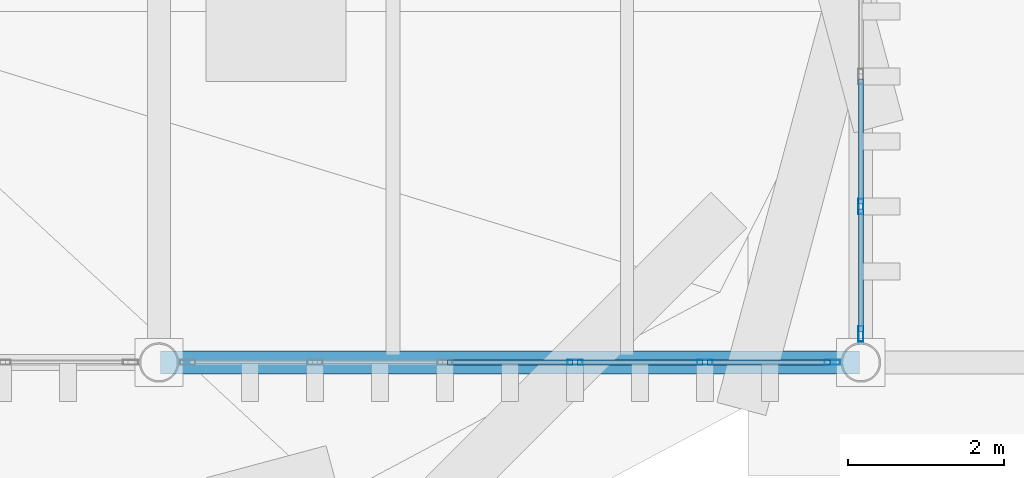
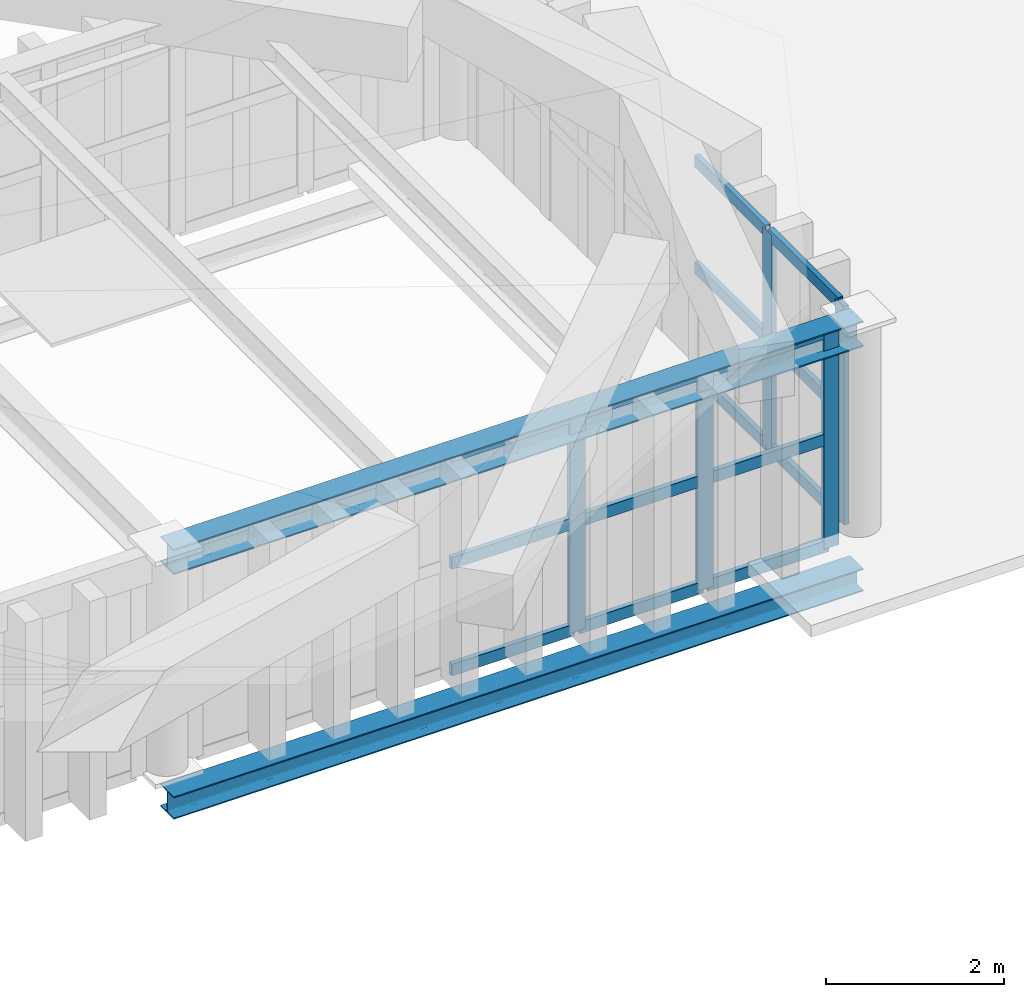
# One storey, part 19 of 102: 20 members, 2 beams, 2 elements without a shape of their own.
"""IFC4 building model written with IfcOpenShell, lengths in metres."""

from ifc_helpers import new_model, si_unit, direction, frame, origin, origin_2d, place, context, subcontext, project, spatial, hollow_rectangle, i_section, extrude, material, layer, layer_set, material_profile, profile_set, type_object, element, aggregate, save


model = new_model("IFC4")

# Units and contexts
model_context = context("Model", 3, precision=1e-05, world=origin(), true_north=direction((0.0, 1.0)))
body_context = subcontext(model_context, "Body", "Model", "MODEL_VIEW")
ifc_project = project(units=[si_unit("LENGTHUNIT", "METRE"), si_unit("AREAUNIT", "SQUARE_METRE"), si_unit("VOLUMEUNIT", "CUBIC_METRE"), si_unit("PLANEANGLEUNIT", "RADIAN"), si_unit("MASSUNIT", "GRAM", prefix="KILO")], contexts=[model_context])

# Site, building, storey
site_placement = place(None, origin())
site = spatial("IfcSite", under=ifc_project, at=site_placement, CompositionType="ELEMENT")
building_placement = place(site_placement, origin())
building = spatial("IfcBuilding", under=site, at=building_placement, Name="Barlavento Convention Centre", CompositionType="ELEMENT")
storey_placement = place(building_placement, frame((0.0, 0.0, 22.800048828125)))
storey = spatial("IfcBuildingStorey", under=building, at=storey_placement, Name="L04", CompositionType="ELEMENT", Elevation=22.800048828125)

# Curtain wall, members
ifc_material_1 = material(Name="Powder-coated aluminium and Low-E glass", Category="aluminium")
ifc_layer = layer(ifc_material_1, 0.18505859375)
ifc_layer_set = layer_set([ifc_layer], Name="ARC-CW-CONF-L04")
curtain_wall_type = type_object("IfcCurtainWallType", Name="ARC-CW-CONF-L04", PredefinedType="NOTDEFINED", material=ifc_layer_set)
curtain_wall_1_placement = place(storey_placement, origin())
curtain_wall_1 = element("IfcCurtainWall", 1, at=curtain_wall_1_placement, inside=storey, type_object=curtain_wall_type, Name="L04 unitised curtain wall CW09", PredefinedType="NOTDEFINED")
ifc_material_2 = material(Name="Powder-coated aluminium", Category="aluminium")
ifc_material_profile_1 = material_profile(ifc_material_2, hollow_rectangle(XDim=0.06494140625, YDim=0.199951171875, WallThickness=0.0048828125, at=origin_2d()), Name="AL-MULL 65x200x5")
ifc_profile_set_1 = profile_set([ifc_material_profile_1], Name="Powder-coated aluminium")
member_type_1 = type_object("IfcMemberType", Name="ARC-CWM-65X200", PredefinedType="MULLION", material=ifc_profile_set_1)
member_1_placement = place(storey_placement, frame((104.333251953125, 45.0, 0.0), z_axis=(0.0, 0.0, 1.0), x_axis=(0.0, 1.0, 0.0)))
member_1 = element("IfcMember", 2, at=member_1_placement, type_object=member_type_1, Name="CW09 mullion 4", PredefinedType="MULLION", context=body_context, shape_type="SweptSolid", body=[
    extrude(hollow_rectangle(XDim=0.06494140625, YDim=0.199951171875, WallThickness=0.0048828125, at=origin_2d()), origin(), (0.0, 0.0, 1.0), 3.0),
])
member_2_placement = place(storey_placement, frame((105.99951171875, 45.0, 0.0), z_axis=(0.0, 0.0, 1.0), x_axis=(0.0, 1.0, 0.0)))
member_2 = element("IfcMember", 3, at=member_2_placement, type_object=member_type_1, Name="CW09 mullion 5", PredefinedType="MULLION", context=body_context, shape_type="SweptSolid", body=[
    extrude(hollow_rectangle(XDim=0.06494140625, YDim=0.199951171875, WallThickness=0.0048828125, at=origin_2d()), origin(), (0.0, 0.0, 1.0), 3.0),
])
member_3_placement = place(storey_placement, frame((107.633544921875, 45.0, 0.0), z_axis=(0.0, 0.0, 1.0), x_axis=(0.0, 1.0, 0.0)))
member_3 = element("IfcMember", 4, at=member_3_placement, type_object=member_type_1, Name="CW09 mullion 6", PredefinedType="MULLION", context=body_context, shape_type="SweptSolid", body=[
    extrude(hollow_rectangle(XDim=0.06494140625, YDim=0.199951171875, WallThickness=0.0048828125, at=origin_2d()), origin(), (0.0, 0.0, 1.0), 3.0),
])

curtain_wall_2_placement = place(storey_placement, origin())
curtain_wall_2 = element("IfcCurtainWall", 5, at=curtain_wall_2_placement, inside=storey, type_object=curtain_wall_type, Name="L04 unitised curtain wall CW09", PredefinedType="NOTDEFINED")
member_4_placement = place(storey_placement, frame((108.0, 45.366455078125, 0.0), z_axis=(0.0, 0.0, 1.0), x_axis=(-1.0, 0.0, 0.0)))
member_4 = element("IfcMember", 6, at=member_4_placement, type_object=member_type_1, Name="CW09 mullion 1", PredefinedType="MULLION", context=body_context, shape_type="SweptSolid", body=[
    extrude(hollow_rectangle(XDim=0.06494140625, YDim=0.199951171875, WallThickness=0.0048828125, at=origin_2d()), origin(), (0.0, 0.0, 1.0), 3.0),
])
member_5_placement = place(storey_placement, frame((108.0, 47.00048828125, 0.0), z_axis=(0.0, 0.0, 1.0), x_axis=(-1.0, 0.0, 0.0)))
member_5 = element("IfcMember", 7, at=member_5_placement, type_object=member_type_1, Name="CW09 mullion 2", PredefinedType="MULLION", context=body_context, shape_type="SweptSolid", body=[
    extrude(hollow_rectangle(XDim=0.06494140625, YDim=0.199951171875, WallThickness=0.0048828125, at=origin_2d()), origin(), (0.0, 0.0, 1.0), 3.0),
])

# Member
ifc_material_profile_2 = material_profile(ifc_material_2, hollow_rectangle(XDim=0.06494140625, YDim=0.159912109375, WallThickness=0.0048828125, at=origin_2d()), Name="AL-TRAN 65x160x5")
ifc_profile_set_2 = profile_set([ifc_material_profile_2], Name="Powder-coated aluminium")
member_type_2 = type_object("IfcMemberType", Name="ARC-CWT-65X160", PredefinedType="USERDEFINED", material=ifc_profile_set_2)
member_6_placement = place(storey_placement, frame((102.69921875, 45.0, 0.032470703125), z_axis=(1.0, 0.0, 0.0), x_axis=(0.0, 1.0, 0.0)))
member_6 = element("IfcMember", 8, at=member_6_placement, type_object=member_type_2, Name="CW09 transom 3.1", ObjectType="TRANSOM", PredefinedType="USERDEFINED", context=body_context, shape_type="SweptSolid", body=[
    extrude(hollow_rectangle(XDim=0.06494140625, YDim=0.159912109375, WallThickness=0.0048828125, at=origin_2d()), origin(), (0.0, 0.0, 1.0), 1.6015625),
])

member_7_placement = place(storey_placement, frame((102.69921875, 45.0, 1.5), z_axis=(1.0, 0.0, 0.0), x_axis=(0.0, 1.0, 0.0)))
member_7 = element("IfcMember", 9, at=member_7_placement, type_object=member_type_2, Name="CW09 transom 3.2", ObjectType="TRANSOM", PredefinedType="USERDEFINED", context=body_context, shape_type="SweptSolid", body=[
    extrude(hollow_rectangle(XDim=0.06494140625, YDim=0.159912109375, WallThickness=0.0048828125, at=origin_2d()), origin(), (0.0, 0.0, 1.0), 1.6015625),
])

member_8_placement = place(storey_placement, frame((102.69921875, 45.0, 2.967529296875), z_axis=(1.0, 0.0, 0.0), x_axis=(0.0, 1.0, 0.0)))
member_8 = element("IfcMember", 10, at=member_8_placement, type_object=member_type_2, Name="CW09 transom 3.3", ObjectType="TRANSOM", PredefinedType="USERDEFINED", context=body_context, shape_type="SweptSolid", body=[
    extrude(hollow_rectangle(XDim=0.06494140625, YDim=0.159912109375, WallThickness=0.0048828125, at=origin_2d()), origin(), (0.0, 0.0, 1.0), 1.6015625),
])

member_9_placement = place(storey_placement, frame((104.36572265625, 45.0, 0.032470703125), z_axis=(1.0, 0.0, 0.0), x_axis=(0.0, 1.0, 0.0)))
member_9 = element("IfcMember", 11, at=member_9_placement, type_object=member_type_2, Name="CW09 transom 4.1", ObjectType="TRANSOM", PredefinedType="USERDEFINED", context=body_context, shape_type="SweptSolid", body=[
    extrude(hollow_rectangle(XDim=0.06494140625, YDim=0.159912109375, WallThickness=0.0048828125, at=origin_2d()), origin(), (0.0, 0.0, 1.0), 1.601318359375),
])

member_10_placement = place(storey_placement, frame((104.36572265625, 45.0, 1.5), z_axis=(1.0, 0.0, 0.0), x_axis=(0.0, 1.0, 0.0)))
member_10 = element("IfcMember", 12, at=member_10_placement, type_object=member_type_2, Name="CW09 transom 4.2", ObjectType="TRANSOM", PredefinedType="USERDEFINED", context=body_context, shape_type="SweptSolid", body=[
    extrude(hollow_rectangle(XDim=0.06494140625, YDim=0.159912109375, WallThickness=0.0048828125, at=origin_2d()), origin(), (0.0, 0.0, 1.0), 1.601318359375),
])

member_11_placement = place(storey_placement, frame((104.36572265625, 45.0, 2.967529296875), z_axis=(1.0, 0.0, 0.0), x_axis=(0.0, 1.0, 0.0)))
member_11 = element("IfcMember", 13, at=member_11_placement, type_object=member_type_2, Name="CW09 transom 4.3", ObjectType="TRANSOM", PredefinedType="USERDEFINED", context=body_context, shape_type="SweptSolid", body=[
    extrude(hollow_rectangle(XDim=0.06494140625, YDim=0.159912109375, WallThickness=0.0048828125, at=origin_2d()), origin(), (0.0, 0.0, 1.0), 1.601318359375),
])

member_12_placement = place(storey_placement, frame((106.031982421875, 45.0, 0.032470703125), z_axis=(1.0, 0.0, 0.0), x_axis=(0.0, 1.0, 0.0)))
member_12 = element("IfcMember", 14, at=member_12_placement, type_object=member_type_2, Name="CW09 transom 5.1", ObjectType="TRANSOM", PredefinedType="USERDEFINED", context=body_context, shape_type="SweptSolid", body=[
    extrude(hollow_rectangle(XDim=0.06494140625, YDim=0.159912109375, WallThickness=0.0048828125, at=origin_2d()), origin(), (0.0, 0.0, 1.0), 1.569091796875),
])

member_13_placement = place(storey_placement, frame((106.031982421875, 45.0, 1.5), z_axis=(1.0, 0.0, 0.0), x_axis=(0.0, 1.0, 0.0)))
member_13 = element("IfcMember", 15, at=member_13_placement, type_object=member_type_2, Name="CW09 transom 5.2", ObjectType="TRANSOM", PredefinedType="USERDEFINED", context=body_context, shape_type="SweptSolid", body=[
    extrude(hollow_rectangle(XDim=0.06494140625, YDim=0.159912109375, WallThickness=0.0048828125, at=origin_2d()), origin(), (0.0, 0.0, 1.0), 1.569091796875),
])

member_14_placement = place(storey_placement, frame((106.031982421875, 45.0, 2.967529296875), z_axis=(1.0, 0.0, 0.0), x_axis=(0.0, 1.0, 0.0)))
member_14 = element("IfcMember", 16, at=member_14_placement, type_object=member_type_2, Name="CW09 transom 5.3", ObjectType="TRANSOM", PredefinedType="USERDEFINED", context=body_context, shape_type="SweptSolid", body=[
    extrude(hollow_rectangle(XDim=0.06494140625, YDim=0.159912109375, WallThickness=0.0048828125, at=origin_2d()), origin(), (0.0, 0.0, 1.0), 1.569091796875),
])

aggregate(curtain_wall_1, [member_1, member_2, member_3, member_6, member_7, member_8, member_9, member_10, member_11, member_12, member_13, member_14])

member_15_placement = place(storey_placement, frame((108.0, 45.39892578125, 0.032470703125), z_axis=(0.0, 1.0, 0.0), x_axis=(-1.0, 0.0, 0.0)))
member_15 = element("IfcMember", 17, at=member_15_placement, type_object=member_type_2, Name="CW09 transom 1.1", ObjectType="TRANSOM", PredefinedType="USERDEFINED", context=body_context, shape_type="SweptSolid", body=[
    extrude(hollow_rectangle(XDim=0.06494140625, YDim=0.159912109375, WallThickness=0.0048828125, at=origin_2d()), origin(), (0.0, 0.0, 1.0), 1.569091796875),
])

member_16_placement = place(storey_placement, frame((108.0, 45.39892578125, 1.5), z_axis=(0.0, 1.0, 0.0), x_axis=(-1.0, 0.0, 0.0)))
member_16 = element("IfcMember", 18, at=member_16_placement, type_object=member_type_2, Name="CW09 transom 1.2", ObjectType="TRANSOM", PredefinedType="USERDEFINED", context=body_context, shape_type="SweptSolid", body=[
    extrude(hollow_rectangle(XDim=0.06494140625, YDim=0.159912109375, WallThickness=0.0048828125, at=origin_2d()), origin(), (0.0, 0.0, 1.0), 1.569091796875),
])

member_17_placement = place(storey_placement, frame((108.0, 45.39892578125, 2.967529296875), z_axis=(0.0, 1.0, 0.0), x_axis=(-1.0, 0.0, 0.0)))
member_17 = element("IfcMember", 19, at=member_17_placement, type_object=member_type_2, Name="CW09 transom 1.3", ObjectType="TRANSOM", PredefinedType="USERDEFINED", context=body_context, shape_type="SweptSolid", body=[
    extrude(hollow_rectangle(XDim=0.06494140625, YDim=0.159912109375, WallThickness=0.0048828125, at=origin_2d()), origin(), (0.0, 0.0, 1.0), 1.569091796875),
])

member_18_placement = place(storey_placement, frame((108.0, 47.032958984375, 0.032470703125), z_axis=(0.0, 1.0, 0.0), x_axis=(-1.0, 0.0, 0.0)))
member_18 = element("IfcMember", 20, at=member_18_placement, type_object=member_type_2, Name="CW09 transom 2.1", ObjectType="TRANSOM", PredefinedType="USERDEFINED", context=body_context, shape_type="SweptSolid", body=[
    extrude(hollow_rectangle(XDim=0.06494140625, YDim=0.159912109375, WallThickness=0.0048828125, at=origin_2d()), origin(), (0.0, 0.0, 1.0), 1.601318359375),
])

member_19_placement = place(storey_placement, frame((108.0, 47.032958984375, 1.5), z_axis=(0.0, 1.0, 0.0), x_axis=(-1.0, 0.0, 0.0)))
member_19 = element("IfcMember", 21, at=member_19_placement, type_object=member_type_2, Name="CW09 transom 2.2", ObjectType="TRANSOM", PredefinedType="USERDEFINED", context=body_context, shape_type="SweptSolid", body=[
    extrude(hollow_rectangle(XDim=0.06494140625, YDim=0.159912109375, WallThickness=0.0048828125, at=origin_2d()), origin(), (0.0, 0.0, 1.0), 1.601318359375),
])

member_20_placement = place(storey_placement, frame((108.0, 47.032958984375, 2.967529296875), z_axis=(0.0, 1.0, 0.0), x_axis=(-1.0, 0.0, 0.0)))
member_20 = element("IfcMember", 22, at=member_20_placement, type_object=member_type_2, Name="CW09 transom 2.3", ObjectType="TRANSOM", PredefinedType="USERDEFINED", context=body_context, shape_type="SweptSolid", body=[
    extrude(hollow_rectangle(XDim=0.06494140625, YDim=0.159912109375, WallThickness=0.0048828125, at=origin_2d()), origin(), (0.0, 0.0, 1.0), 1.601318359375),
])

aggregate(curtain_wall_2, [member_4, member_5, member_15, member_16, member_17, member_18, member_19, member_20])

# Beams
ifc_material_3 = material(Name="Steel S355", Category="steel")
ifc_material_profile_3 = material_profile(ifc_material_3, i_section(OverallWidth=0.300048828125, OverallDepth=0.35009765625, WebThickness=0.010009765625, FlangeThickness=0.017578125, FilletRadius=0.027099609375, at=origin_2d()), Name="HEA 360")
ifc_profile_set_3 = profile_set([ifc_material_profile_3], Name="Steel S355")
beam_type_1 = type_object("IfcBeamType", Name="STR-BM-PRI-HEA360", PredefinedType="BEAM", material=ifc_profile_set_3)
beam_1_placement = place(storey_placement, frame((99.02001953125, 45.0, 2.8798828125), z_axis=(1.0, 0.0, 0.0), x_axis=(0.0, 1.0, 0.0)))
element("IfcBeam", 23, at=beam_1_placement, inside=storey, type_object=beam_type_1, Name="L04 Rotunda clerestory roof girder BG23", PredefinedType="BEAM", context=body_context, shape_type="SweptSolid", body=[
    extrude(i_section(OverallWidth=0.300048828125, OverallDepth=0.35009765625, WebThickness=0.010009765625, FlangeThickness=0.017578125, FilletRadius=0.027099609375, at=origin_2d()), origin(), (0.0, 0.0, 1.0), 8.9599609375),
])
ifc_material_profile_4 = material_profile(ifc_material_3, i_section(OverallWidth=0.300048828125, OverallDepth=0.31005859375, WebThickness=0.009033203125, FlangeThickness=0.015380859375, FilletRadius=0.027099609375, at=origin_2d()), Name="HEA 320")
ifc_profile_set_4 = profile_set([ifc_material_profile_4], Name="Steel S355")
beam_type_2 = type_object("IfcBeamType", Name="STR-BM-SPN-HEA320", PredefinedType="SPANDREL", material=ifc_profile_set_4)
beam_2_placement = place(storey_placement, frame((99.02001953125, 45.0, -0.5), z_axis=(1.0, 0.0, 0.0), x_axis=(0.0, 1.0, 0.0)))
element("IfcBeam", 24, at=beam_2_placement, inside=storey, type_object=beam_type_2, Name="L04 primary girder SP01", PredefinedType="SPANDREL", context=body_context, shape_type="SweptSolid", body=[
    extrude(i_section(OverallWidth=0.300048828125, OverallDepth=0.31005859375, WebThickness=0.009033203125, FlangeThickness=0.015380859375, FilletRadius=0.027099609375, at=origin_2d()), origin(), (0.0, 0.0, 1.0), 8.9599609375),
])

save(model, "model.ifc")
